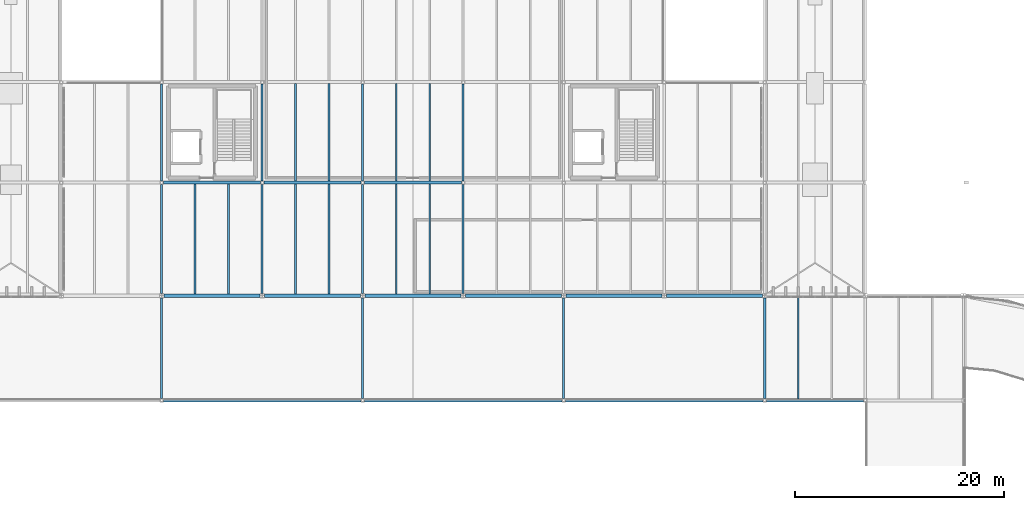
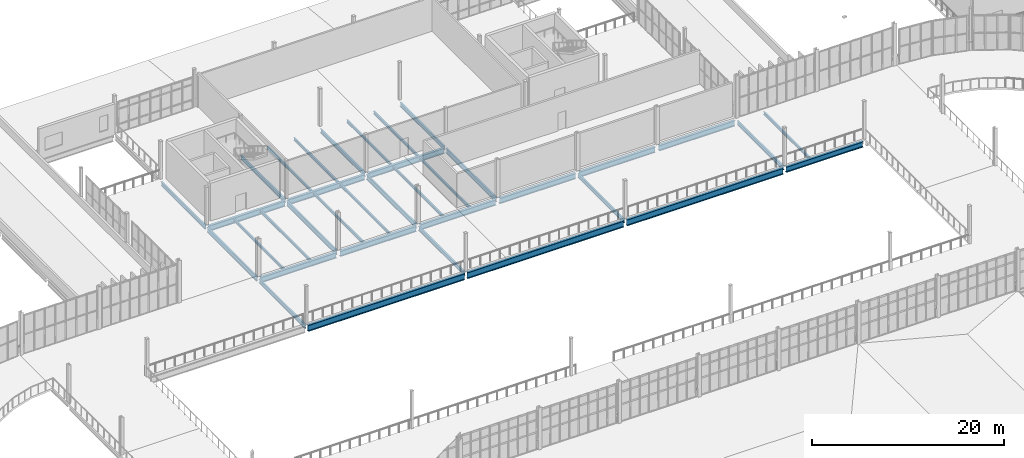
# One storey, part 46 of 112: 36 beams.
"""IFC4 building model written with IfcOpenShell, lengths in metres."""

from ifc_helpers import new_model, si_unit, direction, frame, origin, origin_2d, place, context, subcontext, project, spatial, i_section, extrude, material, material_profile, profile_set, type_object, element, save


model = new_model("IFC4")

# Units and contexts
model_context = context("Model", 3, precision=1e-05, world=origin(), true_north=direction((0.0, 1.0)))
body_context = subcontext(model_context, "Body", "Model", "MODEL_VIEW")
ifc_project = project(units=[si_unit("LENGTHUNIT", "METRE"), si_unit("AREAUNIT", "SQUARE_METRE"), si_unit("VOLUMEUNIT", "CUBIC_METRE"), si_unit("PLANEANGLEUNIT", "RADIAN"), si_unit("MASSUNIT", "GRAM", prefix="KILO")], contexts=[model_context])

# Site, building, storey
site_placement = place(None, origin())
site = spatial("IfcSite", under=ifc_project, at=site_placement, CompositionType="ELEMENT")
building_placement = place(site_placement, origin())
building = spatial("IfcBuilding", under=site, at=building_placement, Name="Yeouljin Market Hall", CompositionType="ELEMENT")
storey_placement = place(building_placement, frame((0.0, 0.0, 6.0)))
storey = spatial("IfcBuildingStorey", under=building, at=storey_placement, Name="L01", CompositionType="ELEMENT", Elevation=6.0)

# Beams
ifc_material_1 = material(Name="Steel SM355", Category="steel")
ifc_material_profile_1 = material_profile(ifc_material_1, i_section(OverallWidth=0.199951171875, OverallDepth=0.5, WebThickness=0.010009765625, FlangeThickness=0.01611328125, FilletRadius=0.02001953125, at=origin_2d()), Name="H-500x200x10x16")
ifc_profile_set_1 = profile_set([ifc_material_profile_1], Name="Steel SM355")
beam_type_1 = type_object("IfcBeamType", Name="Beam_H-500x200x10x16", PredefinedType="BEAM", material=ifc_profile_set_1)
beam_1_placement = place(storey_placement, frame((64.199951171875, 68.175048828125, -0.52001953125), z_axis=(0.0, 1.0, 0.0), x_axis=(-1.0, 0.0, 0.0)))
element("IfcBeam", 1, at=beam_1_placement, inside=storey, type_object=beam_type_1, Name="Primary beam BM-L01-Y169", PredefinedType="BEAM", context=body_context, shape_type="SweptSolid", body=[
    extrude(i_section(OverallWidth=0.199951171875, OverallDepth=0.5, WebThickness=0.010009765625, FlangeThickness=0.01611328125, FilletRadius=0.02001953125, at=origin_2d()), origin(), (0.0, 0.0, 1.0), 9.599853515625),
])
for number, where, z_axis, x_axis, name in (
    (2, (64.199951171875, 88.97509765625, -0.510009765625), (0.0, 1.0, 0.0), (-1.0, 0.0, 0.0), "Primary beam BM-L01-Y171"),
    (3, (73.800048828125, 88.97509765625, -0.510009765625), (0.0, 1.0, 0.0), (-1.0, 0.0, 0.0), "Primary beam BM-L01-Y174"),
):
    element("IfcBeam", number, at=place(storey_placement, frame(where, z_axis=z_axis, x_axis=x_axis)), inside=storey, type_object=beam_type_1, Name=name, PredefinedType="BEAM", context=body_context, shape_type="SweptSolid", body=[
        extrude(i_section(OverallWidth=0.199951171875, OverallDepth=0.5, WebThickness=0.010009765625, FlangeThickness=0.01611328125, FilletRadius=0.02001953125, at=origin_2d()), origin(), (0.0, 0.0, 1.0), 9.25),
    ])
beam_2_placement = place(storey_placement, frame((83.39990234375, 68.175048828125, -0.52001953125), z_axis=(0.0, 1.0, 0.0), x_axis=(-1.0, 0.0, 0.0)))
element("IfcBeam", 4, at=beam_2_placement, inside=storey, type_object=beam_type_1, Name="Primary beam BM-L01-Y177", PredefinedType="BEAM", context=body_context, shape_type="SweptSolid", body=[
    extrude(i_section(OverallWidth=0.199951171875, OverallDepth=0.5, WebThickness=0.010009765625, FlangeThickness=0.01611328125, FilletRadius=0.02001953125, at=origin_2d()), origin(), (0.0, 0.0, 1.0), 9.599853515625),
])
for number, where, z_axis, x_axis, name in (
    (5, (83.39990234375, 88.97509765625, -0.510009765625), (0.0, 1.0, 0.0), (-1.0, 0.0, 0.0), "Primary beam BM-L01-Y179"),
    (6, (93.0, 88.97509765625, -0.510009765625), (0.0, 1.0, 0.0), (-1.0, 0.0, 0.0), "Primary beam BM-L01-Y182"),
):
    element("IfcBeam", number, at=place(storey_placement, frame(where, z_axis=z_axis, x_axis=x_axis)), inside=storey, type_object=beam_type_1, Name=name, PredefinedType="BEAM", context=body_context, shape_type="SweptSolid", body=[
        extrude(i_section(OverallWidth=0.199951171875, OverallDepth=0.5, WebThickness=0.010009765625, FlangeThickness=0.01611328125, FilletRadius=0.02001953125, at=origin_2d()), origin(), (0.0, 0.0, 1.0), 9.25),
    ])
for number, where, z_axis, x_axis, name in (
    (7, (102.60009765625, 68.175048828125, -0.52001953125), (0.0, 1.0, 0.0), (-1.0, 0.0, 0.0), "Primary beam BM-L01-Y185"),
    (8, (121.800048828125, 68.175048828125, -0.52001953125), (0.0, 1.0, 0.0), (-1.0, 0.0, 0.0), "Primary beam BM-L01-Y195"),
):
    element("IfcBeam", number, at=place(storey_placement, frame(where, z_axis=z_axis, x_axis=x_axis)), inside=storey, type_object=beam_type_1, Name=name, PredefinedType="BEAM", context=body_context, shape_type="SweptSolid", body=[
        extrude(i_section(OverallWidth=0.199951171875, OverallDepth=0.5, WebThickness=0.010009765625, FlangeThickness=0.01611328125, FilletRadius=0.02001953125, at=origin_2d()), origin(), (0.0, 0.0, 1.0), 9.599853515625),
    ])
ifc_material_2 = material(Name="Steel SM355", Category="steel")
ifc_material_profile_2 = material_profile(ifc_material_2, i_section(OverallWidth=0.199951171875, OverallDepth=0.60009765625, WebThickness=0.010986328125, FlangeThickness=0.01708984375, FilletRadius=0.02197265625, at=origin_2d()), Name="H-600x200x11x17")
ifc_profile_set_2 = profile_set([ifc_material_profile_2], Name="Steel SM355")
beam_type_2 = type_object("IfcBeamType", Name="Beam_H-600x200x11x17", PredefinedType="BEAM", material=ifc_profile_set_2)
for number, where, z_axis, x_axis, name in (
    (9, (64.199951171875, 78.22509765625, -0.56005859375), (0.0, 1.0, 0.0), (-1.0, 0.0, 0.0), "Primary beam BM-L01-Y170"),
    (10, (73.800048828125, 78.22509765625, -0.56005859375), (0.0, 1.0, 0.0), (-1.0, 0.0, 0.0), "Primary beam BM-L01-Y173"),
    (11, (83.39990234375, 78.22509765625, -0.56005859375), (0.0, 1.0, 0.0), (-1.0, 0.0, 0.0), "Primary beam BM-L01-Y178"),
    (12, (93.0, 78.22509765625, -0.56005859375), (0.0, 1.0, 0.0), (-1.0, 0.0, 0.0), "Primary beam BM-L01-Y181"),
):
    element("IfcBeam", number, at=place(storey_placement, frame(where, z_axis=z_axis, x_axis=x_axis)), inside=storey, type_object=beam_type_2, Name=name, PredefinedType="BEAM", context=body_context, shape_type="SweptSolid", body=[
        extrude(i_section(OverallWidth=0.199951171875, OverallDepth=0.60009765625, WebThickness=0.010986328125, FlangeThickness=0.01708984375, FilletRadius=0.02197265625, at=origin_2d()), origin(), (0.0, 0.0, 1.0), 10.39990234375),
    ])
ifc_material_3 = material(Name="Steel SM355", Category="steel")
ifc_material_profile_3 = material_profile(ifc_material_3, i_section(OverallWidth=0.300048828125, OverallDepth=0.699951171875, WebThickness=0.012939453125, FlangeThickness=0.02392578125, FilletRadius=0.02587890625, at=origin_2d()), Name="H-700x300x13x24")
ifc_profile_set_3 = profile_set([ifc_material_profile_3], Name="Steel SM355")
beam_type_3 = type_object("IfcBeamType", Name="Girder_H-700x300x13x24", PredefinedType="USERDEFINED", material=ifc_profile_set_3)
beam_3_placement = place(storey_placement, frame((121.97509765625, 68.0, -0.6201171875), z_axis=(1.0, 0.0, 0.0), x_axis=(0.0, 1.0, 0.0)))
element("IfcBeam", 13, at=beam_3_placement, inside=storey, type_object=beam_type_3, Name="Primary girder GRD-L01-X076", ObjectType="GIRDER", PredefinedType="USERDEFINED", context=body_context, shape_type="SweptSolid", body=[
    extrude(i_section(OverallWidth=0.300048828125, OverallDepth=0.699951171875, WebThickness=0.012939453125, FlangeThickness=0.02392578125, FilletRadius=0.02587890625, at=origin_2d()), origin(), (0.0, 0.0, 1.0), 9.25),
])
beam_4_placement = place(storey_placement, frame((64.425048828125, 78.0, -0.6201171875), z_axis=(1.0, 0.0, 0.0), x_axis=(0.0, 1.0, 0.0)))
element("IfcBeam", 14, at=beam_4_placement, inside=storey, type_object=beam_type_3, Name="Primary girder GRD-L01-X084", ObjectType="GIRDER", PredefinedType="USERDEFINED", context=body_context, shape_type="SweptSolid", body=[
    extrude(i_section(OverallWidth=0.300048828125, OverallDepth=0.699951171875, WebThickness=0.012939453125, FlangeThickness=0.02392578125, FilletRadius=0.02587890625, at=origin_2d()), origin(), (0.0, 0.0, 1.0), 9.14990234375),
])
beam_5_placement = place(storey_placement, frame((74.02490234375, 78.0, -0.6201171875), z_axis=(1.0, 0.0, 0.0), x_axis=(0.0, 1.0, 0.0)))
element("IfcBeam", 15, at=beam_5_placement, inside=storey, type_object=beam_type_3, Name="Primary girder GRD-L01-X085", ObjectType="GIRDER", PredefinedType="USERDEFINED", context=body_context, shape_type="SweptSolid", body=[
    extrude(i_section(OverallWidth=0.300048828125, OverallDepth=0.699951171875, WebThickness=0.012939453125, FlangeThickness=0.02392578125, FilletRadius=0.02587890625, at=origin_2d()), origin(), (0.0, 0.0, 1.0), 9.150146484375),
])
for number, where, z_axis, x_axis, name in (
    (16, (83.625, 78.0, -0.6201171875), (1.0, 0.0, 0.0), (0.0, 1.0, 0.0), "Primary girder GRD-L01-X086"),
    (17, (93.22509765625, 78.0, -0.6201171875), (1.0, 0.0, 0.0), (0.0, 1.0, 0.0), "Primary girder GRD-L01-X087"),
):
    element("IfcBeam", number, at=place(storey_placement, frame(where, z_axis=z_axis, x_axis=x_axis)), inside=storey, type_object=beam_type_3, Name=name, ObjectType="GIRDER", PredefinedType="USERDEFINED", context=body_context, shape_type="SweptSolid", body=[
        extrude(i_section(OverallWidth=0.300048828125, OverallDepth=0.699951171875, WebThickness=0.012939453125, FlangeThickness=0.02392578125, FilletRadius=0.02587890625, at=origin_2d()), origin(), (0.0, 0.0, 1.0), 9.14990234375),
    ])
beam_6_placement = place(storey_placement, frame((102.824951171875, 78.0, -0.6201171875), z_axis=(1.0, 0.0, 0.0), x_axis=(0.0, 1.0, 0.0)))
element("IfcBeam", 18, at=beam_6_placement, inside=storey, type_object=beam_type_3, Name="Primary girder GRD-L01-X088", ObjectType="GIRDER", PredefinedType="USERDEFINED", context=body_context, shape_type="SweptSolid", body=[
    extrude(i_section(OverallWidth=0.300048828125, OverallDepth=0.699951171875, WebThickness=0.012939453125, FlangeThickness=0.02392578125, FilletRadius=0.02587890625, at=origin_2d()), origin(), (0.0, 0.0, 1.0), 9.150146484375),
])
beam_7_placement = place(storey_placement, frame((112.425048828125, 78.0, -0.6201171875), z_axis=(1.0, 0.0, 0.0), x_axis=(0.0, 1.0, 0.0)))
element("IfcBeam", 19, at=beam_7_placement, inside=storey, type_object=beam_type_3, Name="Primary girder GRD-L01-X089", ObjectType="GIRDER", PredefinedType="USERDEFINED", context=body_context, shape_type="SweptSolid", body=[
    extrude(i_section(OverallWidth=0.300048828125, OverallDepth=0.699951171875, WebThickness=0.012939453125, FlangeThickness=0.02392578125, FilletRadius=0.02587890625, at=origin_2d()), origin(), (0.0, 0.0, 1.0), 9.14990234375),
])
for number, where, z_axis, x_axis, name in (
    (20, (64.375, 88.800048828125, -0.610107421875), (1.0, 0.0, 0.0), (0.0, 1.0, 0.0), "Primary girder GRD-L01-X098"),
    (21, (73.97509765625, 88.800048828125, -0.610107421875), (1.0, 0.0, 0.0), (0.0, 1.0, 0.0), "Primary girder GRD-L01-X099"),
    (22, (83.574951171875, 88.800048828125, -0.610107421875), (1.0, 0.0, 0.0), (0.0, 1.0, 0.0), "Primary girder GRD-L01-X100"),
):
    element("IfcBeam", number, at=place(storey_placement, frame(where, z_axis=z_axis, x_axis=x_axis)), inside=storey, type_object=beam_type_3, Name=name, ObjectType="GIRDER", PredefinedType="USERDEFINED", context=body_context, shape_type="SweptSolid", body=[
        extrude(i_section(OverallWidth=0.300048828125, OverallDepth=0.699951171875, WebThickness=0.012939453125, FlangeThickness=0.02392578125, FilletRadius=0.02587890625, at=origin_2d()), origin(), (0.0, 0.0, 1.0), 9.25),
    ])
ifc_material_4 = material(Name="Steel SM355", Category="steel")
ifc_material_profile_4 = material_profile(ifc_material_4, i_section(OverallWidth=0.300048828125, OverallDepth=0.800048828125, WebThickness=0.013916015625, FlangeThickness=0.02587890625, FilletRadius=0.028076171875, at=origin_2d()), Name="H-800x300x14x26")
ifc_profile_set_4 = profile_set([ifc_material_profile_4], Name="Steel SM355")
beam_type_4 = type_object("IfcBeamType", Name="Girder_H-800x300x14x26", PredefinedType="USERDEFINED", material=ifc_profile_set_4)
for number, where, z_axis, x_axis, name in (
    (23, (64.375, 68.0, -0.669921875), (1.0, 0.0, 0.0), (0.0, 1.0, 0.0), "Primary girder GRD-L01-X073"),
    (24, (83.574951171875, 68.0, -0.669921875), (1.0, 0.0, 0.0), (0.0, 1.0, 0.0), "Primary girder GRD-L01-X074"),
    (25, (102.77490234375, 68.0, -0.669921875), (1.0, 0.0, 0.0), (0.0, 1.0, 0.0), "Primary girder GRD-L01-X075"),
):
    element("IfcBeam", number, at=place(storey_placement, frame(where, z_axis=z_axis, x_axis=x_axis)), inside=storey, type_object=beam_type_4, Name=name, ObjectType="GIRDER", PredefinedType="USERDEFINED", context=body_context, shape_type="SweptSolid", body=[
        extrude(i_section(OverallWidth=0.300048828125, OverallDepth=0.800048828125, WebThickness=0.013916015625, FlangeThickness=0.02587890625, FilletRadius=0.028076171875, at=origin_2d()), origin(), (0.0, 0.0, 1.0), 18.85009765625),
    ])
ifc_material_5 = material(Name="Steel SM355", Category="steel")
ifc_material_profile_5 = material_profile(ifc_material_5, i_section(OverallWidth=0.175048828125, OverallDepth=0.35009765625, WebThickness=0.007080078125, FlangeThickness=0.010986328125, FilletRadius=0.013916015625, at=origin_2d()), Name="H-350x175x7x11")
ifc_profile_set_5 = profile_set([ifc_material_profile_5], Name="Steel SM355")
beam_type_5 = type_object("IfcBeamType", Name="Joist_H-350x175x7x11", PredefinedType="JOIST", material=ifc_profile_set_5)
for number, where, z_axis, x_axis, name in (
    (26, (67.39990234375, 78.14697265625, -0.445068359375), (0.0, 1.0, 0.0), (-1.0, 0.0, 0.0), "Secondary floor joist L01-048"),
    (27, (70.60009765625, 78.14697265625, -0.445068359375), (0.0, 1.0, 0.0), (-1.0, 0.0, 0.0), "Secondary floor joist L01-049"),
    (28, (77.0, 78.14697265625, -0.445068359375), (0.0, 1.0, 0.0), (-1.0, 0.0, 0.0), "Secondary floor joist L01-052"),
    (29, (80.199951171875, 78.14697265625, -0.445068359375), (0.0, 1.0, 0.0), (-1.0, 0.0, 0.0), "Secondary floor joist L01-053"),
):
    element("IfcBeam", number, at=place(storey_placement, frame(where, z_axis=z_axis, x_axis=x_axis)), inside=storey, type_object=beam_type_5, Name=name, PredefinedType="JOIST", context=body_context, shape_type="SweptSolid", body=[
        extrude(i_section(OverallWidth=0.175048828125, OverallDepth=0.35009765625, WebThickness=0.007080078125, FlangeThickness=0.010986328125, FilletRadius=0.013916015625, at=origin_2d()), origin(), (0.0, 0.0, 1.0), 10.506103515625),
    ])
for number, where, z_axis, x_axis, name in (
    (30, (77.0, 88.947021484375, -0.43505859375), (0.0, 1.0, 0.0), (-1.0, 0.0, 0.0), "Secondary floor joist L01-054"),
    (31, (80.199951171875, 88.947021484375, -0.43505859375), (0.0, 1.0, 0.0), (-1.0, 0.0, 0.0), "Secondary floor joist L01-055"),
):
    element("IfcBeam", number, at=place(storey_placement, frame(where, z_axis=z_axis, x_axis=x_axis)), inside=storey, type_object=beam_type_5, Name=name, PredefinedType="JOIST", context=body_context, shape_type="SweptSolid", body=[
        extrude(i_section(OverallWidth=0.175048828125, OverallDepth=0.35009765625, WebThickness=0.007080078125, FlangeThickness=0.010986328125, FilletRadius=0.013916015625, at=origin_2d()), origin(), (0.0, 0.0, 1.0), 9.305908203125),
    ])
for number, where, z_axis, x_axis, name in (
    (32, (86.60009765625, 78.14697265625, -0.445068359375), (0.0, 1.0, 0.0), (-1.0, 0.0, 0.0), "Secondary floor joist L01-058"),
    (33, (89.800048828125, 78.14697265625, -0.445068359375), (0.0, 1.0, 0.0), (-1.0, 0.0, 0.0), "Secondary floor joist L01-059"),
):
    element("IfcBeam", number, at=place(storey_placement, frame(where, z_axis=z_axis, x_axis=x_axis)), inside=storey, type_object=beam_type_5, Name=name, PredefinedType="JOIST", context=body_context, shape_type="SweptSolid", body=[
        extrude(i_section(OverallWidth=0.175048828125, OverallDepth=0.35009765625, WebThickness=0.007080078125, FlangeThickness=0.010986328125, FilletRadius=0.013916015625, at=origin_2d()), origin(), (0.0, 0.0, 1.0), 10.506103515625),
    ])
for number, where, z_axis, x_axis, name in (
    (34, (86.60009765625, 88.947021484375, -0.43505859375), (0.0, 1.0, 0.0), (-1.0, 0.0, 0.0), "Secondary floor joist L01-060"),
    (35, (89.800048828125, 88.947021484375, -0.43505859375), (0.0, 1.0, 0.0), (-1.0, 0.0, 0.0), "Secondary floor joist L01-061"),
):
    element("IfcBeam", number, at=place(storey_placement, frame(where, z_axis=z_axis, x_axis=x_axis)), inside=storey, type_object=beam_type_5, Name=name, PredefinedType="JOIST", context=body_context, shape_type="SweptSolid", body=[
        extrude(i_section(OverallWidth=0.175048828125, OverallDepth=0.35009765625, WebThickness=0.007080078125, FlangeThickness=0.010986328125, FilletRadius=0.013916015625, at=origin_2d()), origin(), (0.0, 0.0, 1.0), 9.305908203125),
    ])
beam_8_placement = place(storey_placement, frame((125.0, 68.14697265625, -0.455078125), z_axis=(0.0, 1.0, 0.0), x_axis=(-1.0, 0.0, 0.0)))
element("IfcBeam", 36, at=beam_8_placement, inside=storey, type_object=beam_type_5, Name="Secondary floor joist L01-084", PredefinedType="JOIST", context=body_context, shape_type="SweptSolid", body=[
    extrude(i_section(OverallWidth=0.175048828125, OverallDepth=0.35009765625, WebThickness=0.007080078125, FlangeThickness=0.010986328125, FilletRadius=0.013916015625, at=origin_2d()), origin(), (0.0, 0.0, 1.0), 9.7060546875),
])

save(model, "model.ifc")
